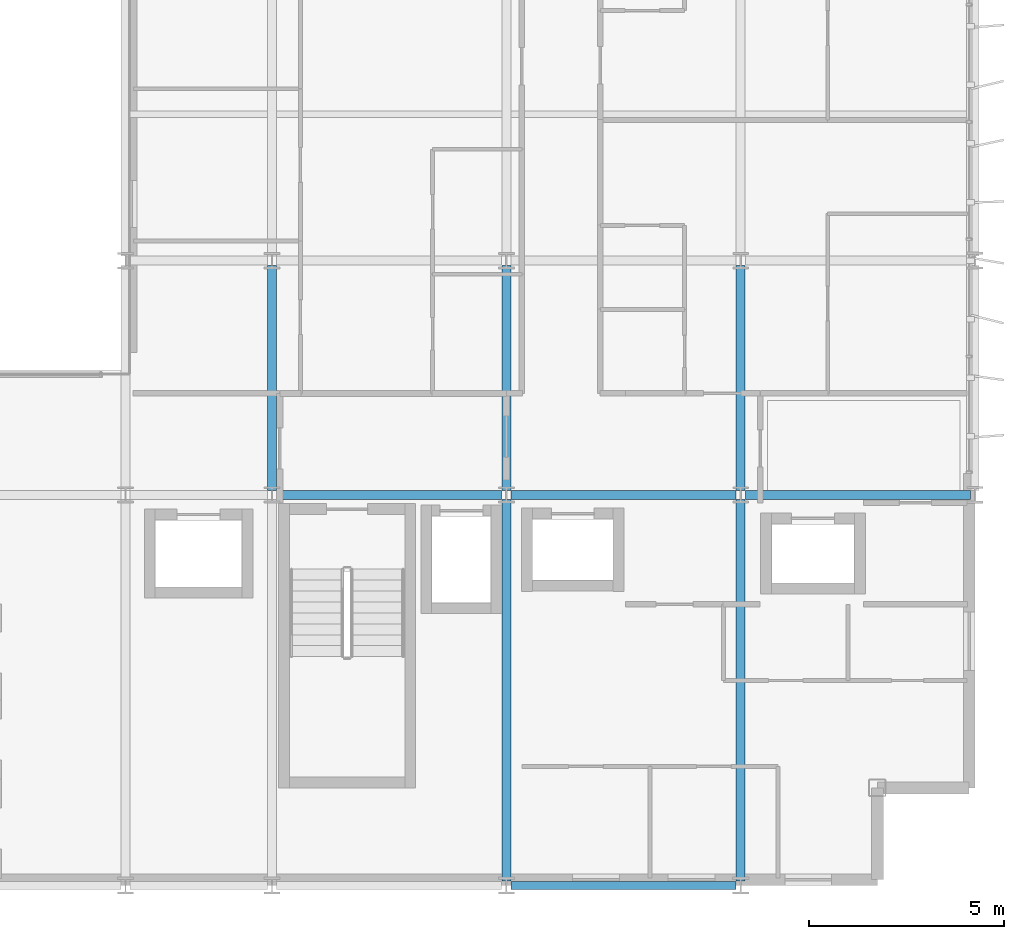
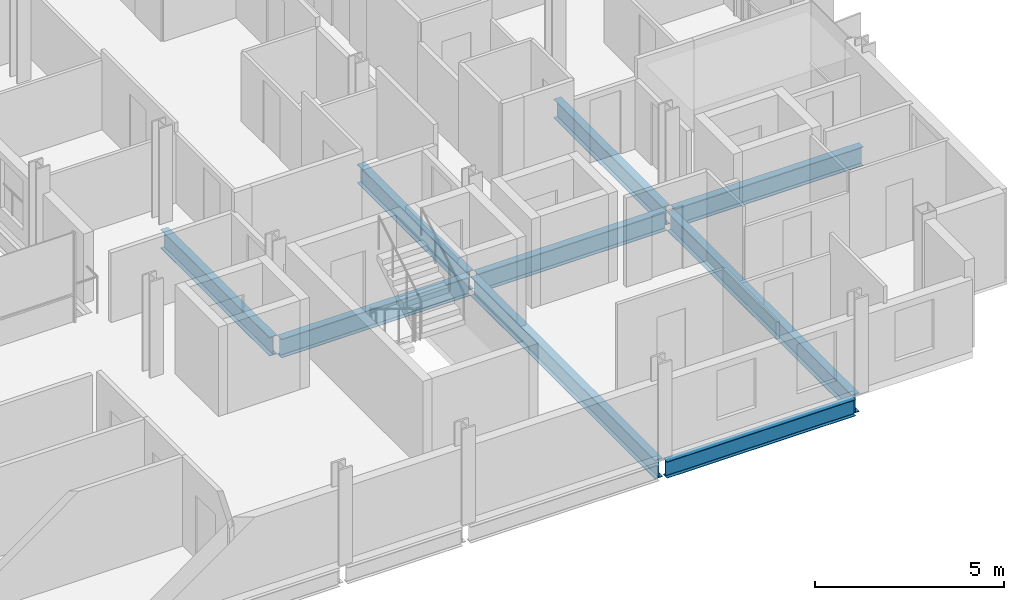
# One storey, part 14 of 39: 9 beams.
"""IFC4 building model written with IfcOpenShell, lengths in metres."""

from ifc_helpers import new_model, si_unit, direction, frame, origin, origin_2d, place, context, subcontext, project, spatial, i_section, extrude, material, material_profile, profile_set, type_object, element, save


model = new_model("IFC4")

# Units and contexts
model_context = context("Model", 3, precision=1e-05, world=origin(), true_north=direction((0.0, 1.0)))
body_context = subcontext(model_context, "Body", "Model", "MODEL_VIEW")
ifc_project = project(units=[si_unit("LENGTHUNIT", "METRE"), si_unit("AREAUNIT", "SQUARE_METRE"), si_unit("VOLUMEUNIT", "CUBIC_METRE"), si_unit("PLANEANGLEUNIT", "RADIAN"), si_unit("MASSUNIT", "GRAM", prefix="KILO")], contexts=[model_context])

# Site, building, storey
site_placement = place(None, origin())
site = spatial("IfcSite", under=ifc_project, at=site_placement, CompositionType="ELEMENT")
building_placement = place(site_placement, origin())
building = spatial("IfcBuilding", under=site, at=building_placement, Name="Brevholm Reach", CompositionType="ELEMENT")
storey_placement = place(building_placement, frame((0.0, 0.0, 115.89990234375)))
storey = spatial("IfcBuildingStorey", under=building, at=storey_placement, Name="L34", CompositionType="ELEMENT", Elevation=115.89990234375)

# Beams
ifc_material_1 = material(Name="Structural Steel S355J2", Category="steel")
ifc_material_profile_1 = material_profile(ifc_material_1, i_section(OverallWidth=0.209228515625, OverallDepth=0.533203125, WebThickness=0.010009765625, FlangeThickness=0.015625, FilletRadius=0.0126953125, at=origin_2d()), Name="UKB 533x210x92")
ifc_profile_set_1 = profile_set([ifc_material_profile_1], Name="Structural Steel S355J2")
beam_type_1 = type_object("IfcBeamType", Name="BM-SP533", PredefinedType="SPANDREL", material=ifc_profile_set_1)
beam_1_placement = place(storey_placement, frame((48.1201171875, 0.0, -0.486572265625), z_axis=(1.0, 0.0, 0.0), x_axis=(0.0, 1.0, 0.0)))
element("IfcBeam", 1, at=beam_1_placement, inside=storey, type_object=beam_type_1, Name="L34 SP-02 Framing Beam", PredefinedType="SPANDREL", context=body_context, shape_type="SweptSolid", body=[
    extrude(i_section(OverallWidth=0.209228515625, OverallDepth=0.533203125, WebThickness=0.010009765625, FlangeThickness=0.015625, FilletRadius=0.0126953125, at=origin_2d()), origin(), (0.0, 0.0, 1.0), 5.759765625),
])
ifc_material_2 = material(Name="Structural Steel S355J2", Category="steel")
ifc_material_profile_2 = material_profile(ifc_material_2, i_section(OverallWidth=0.22900390625, OverallDepth=0.6123046875, WebThickness=0.011962890625, FlangeThickness=0.01953125, FilletRadius=0.0126953125, at=origin_2d()), Name="UKB 610x229x125")
ifc_profile_set_2 = profile_set([ifc_material_profile_2], Name="Structural Steel S355J2")
beam_type_2 = type_object("IfcBeamType", Name="BM-SP610", PredefinedType="SPANDREL", material=ifc_profile_set_2)
for number, where, z_axis, x_axis, name in (
    (2, (42.1201171875, 10.0, -0.526123046875), (1.0, 0.0, 0.0), (0.0, 1.0, 0.0), "L34 SP-01 Framing Beam"),
    (3, (48.1201171875, 10.0, -0.526123046875), (1.0, 0.0, 0.0), (0.0, 1.0, 0.0), "L34 SP-01 Framing Beam"),
    (4, (54.1201171875, 10.0, -0.526123046875), (1.0, 0.0, 0.0), (0.0, 1.0, 0.0), "L34 SP-01 Framing Beam"),
    (5, (42.0, 10.1201171875, -0.526123046875), (0.0, 1.0, 0.0), (-1.0, 0.0, 0.0), "L34 SP-01 Framing Beam"),
):
    element("IfcBeam", number, at=place(storey_placement, frame(where, z_axis=z_axis, x_axis=x_axis)), inside=storey, type_object=beam_type_2, Name=name, PredefinedType="SPANDREL", context=body_context, shape_type="SweptSolid", body=[
        extrude(i_section(OverallWidth=0.22900390625, OverallDepth=0.6123046875, WebThickness=0.011962890625, FlangeThickness=0.01953125, FilletRadius=0.0126953125, at=origin_2d()), origin(), (0.0, 0.0, 1.0), 5.759765625),
    ])
beam_2_placement = place(storey_placement, frame((48.0, 0.1201171875, -0.526123046875), z_axis=(0.0, 1.0, 0.0), x_axis=(-1.0, 0.0, 0.0)))
element("IfcBeam", 6, at=beam_2_placement, inside=storey, type_object=beam_type_2, Name="L34 SP-01 Framing Beam", PredefinedType="SPANDREL", context=body_context, shape_type="SweptSolid", body=[
    extrude(i_section(OverallWidth=0.22900390625, OverallDepth=0.6123046875, WebThickness=0.011962890625, FlangeThickness=0.01953125, FilletRadius=0.0126953125, at=origin_2d()), origin(), (0.0, 0.0, 1.0), 9.759765625),
])
beam_3_placement = place(storey_placement, frame((48.0, 10.1201171875, -0.526123046875), z_axis=(0.0, 1.0, 0.0), x_axis=(-1.0, 0.0, 0.0)))
element("IfcBeam", 7, at=beam_3_placement, inside=storey, type_object=beam_type_2, Name="L34 SP-01 Framing Beam", PredefinedType="SPANDREL", context=body_context, shape_type="SweptSolid", body=[
    extrude(i_section(OverallWidth=0.22900390625, OverallDepth=0.6123046875, WebThickness=0.011962890625, FlangeThickness=0.01953125, FilletRadius=0.0126953125, at=origin_2d()), origin(), (0.0, 0.0, 1.0), 5.759765625),
])
beam_4_placement = place(storey_placement, frame((54.0, 0.1201171875, -0.526123046875), z_axis=(0.0, 1.0, 0.0), x_axis=(-1.0, 0.0, 0.0)))
element("IfcBeam", 8, at=beam_4_placement, inside=storey, type_object=beam_type_2, Name="L34 SP-01 Framing Beam", PredefinedType="SPANDREL", context=body_context, shape_type="SweptSolid", body=[
    extrude(i_section(OverallWidth=0.22900390625, OverallDepth=0.6123046875, WebThickness=0.011962890625, FlangeThickness=0.01953125, FilletRadius=0.0126953125, at=origin_2d()), origin(), (0.0, 0.0, 1.0), 9.759765625),
])
beam_5_placement = place(storey_placement, frame((54.0, 10.1201171875, -0.526123046875), z_axis=(0.0, 1.0, 0.0), x_axis=(-1.0, 0.0, 0.0)))
element("IfcBeam", 9, at=beam_5_placement, inside=storey, type_object=beam_type_2, Name="L34 SP-01 Framing Beam", PredefinedType="SPANDREL", context=body_context, shape_type="SweptSolid", body=[
    extrude(i_section(OverallWidth=0.22900390625, OverallDepth=0.6123046875, WebThickness=0.011962890625, FlangeThickness=0.01953125, FilletRadius=0.0126953125, at=origin_2d()), origin(), (0.0, 0.0, 1.0), 5.759765625),
])

save(model, "model.ifc")
